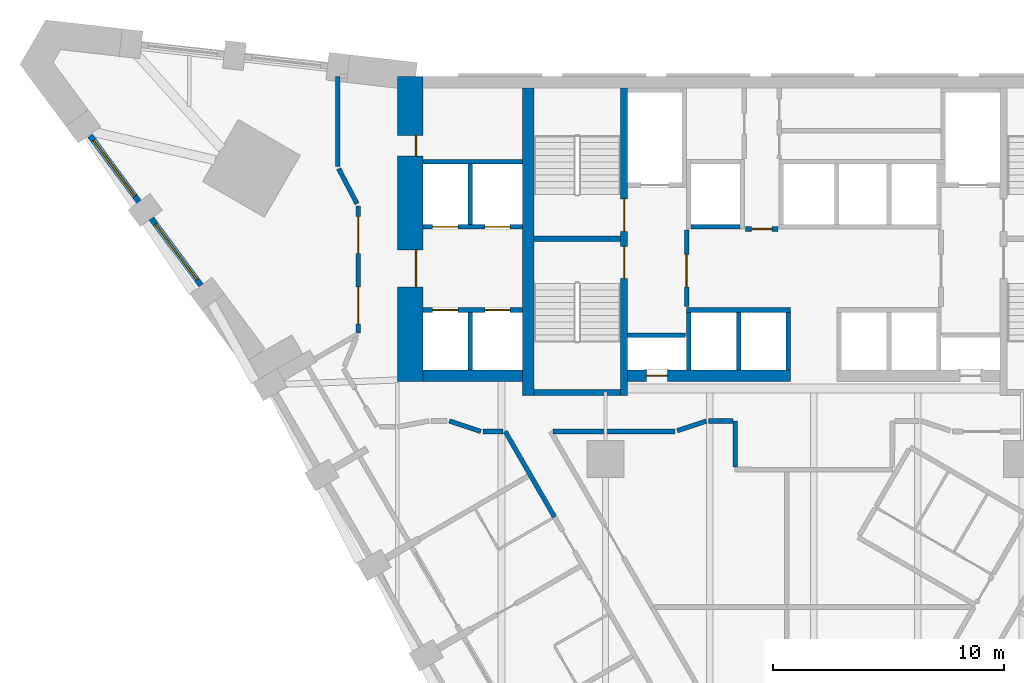
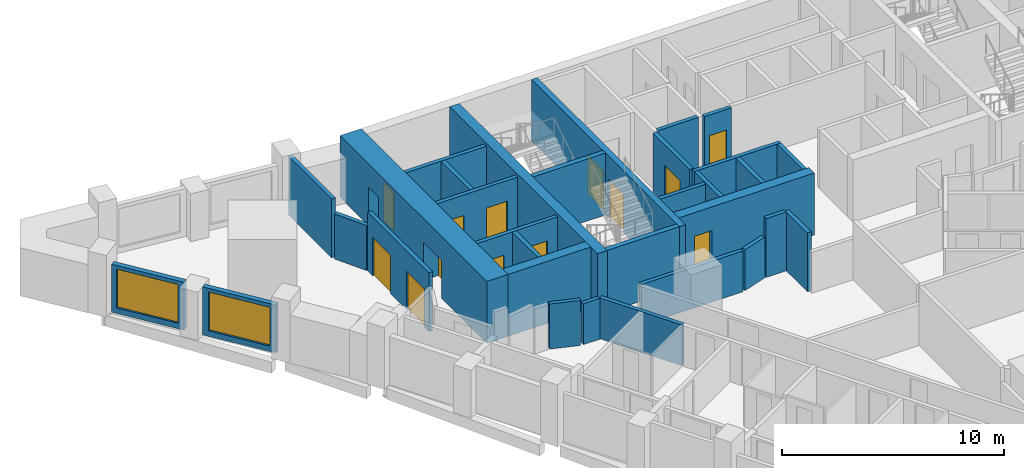
# One storey, part 7 of 12: 32 walls, 13 doors, 2 windows, 15 openings.
"""IFC4 building model written with IfcOpenShell, lengths in metres."""

import ifcopenshell
import ifcopenshell.guid

model = None  # the IFC model being written
_history = None  # IfcOwnerHistory: only IFC2X3 demands one
_inside = {}  # id of a spatial element -> (the spatial element, [elements in it])
_under = {}  # id of a project, library or spatial element -> (it, [spatial elements below it])
_declared = {}  # id of a project -> (the project, [libraries it declares])
_typed = {}  # id of a type object -> (the type object, [elements of that type])
_made_of = {}  # id of a material, layer set ... -> (it, [elements and type objects made of it])


def new_model(schema):
    """Start an empty IFC model of exactly this schema.

    Asked for "IFC4X3", IfcOpenShell would pick the latest addendum, in which some entities
    have other attributes; the version numbers below select the first issue.
    IFC2X3 requires an IfcOwnerHistory on every rooted entity: one is made here for all.
    """
    global model, _history
    if schema == "IFC4X3":
        model = ifcopenshell.file(schema_version=(4, 3, 0, 0))
    else:
        model = ifcopenshell.file(schema=schema)
    _inside.clear()
    _under.clear()
    _declared.clear()
    _typed.clear()
    _made_of.clear()
    _history = None
    if model.schema == "IFC2X3":
        org = make("IfcOrganization", Name="unknown")
        user = make(
            "IfcPersonAndOrganization",
            ThePerson=make("IfcPerson", FamilyName="unknown"),
            TheOrganization=org,
        )
        app = make(
            "IfcApplication",
            ApplicationDeveloper=org,
            Version="unknown",
            ApplicationFullName="unknown",
            ApplicationIdentifier="unknown",
        )
        _history = make(
            "IfcOwnerHistory",
            OwningUser=user,
            OwningApplication=app,
            ChangeAction="ADDED",
            CreationDate=0,
        )
    return model


def make(cls, **values):
    """One entity of the class cls with the attributes given. An attribute that is None is left unset."""
    return model.create_entity(
        cls, **{name: value for name, value in values.items() if value is not None}
    )


def rooted(cls, **values):
    """An entity with a GlobalId (a new one), such as an element, a storey or a relation."""
    return make(cls, GlobalId=ifcopenshell.guid.new(), OwnerHistory=_history, **values)


def si_unit(unit_type, name, prefix=None):
    """IfcSIUnit, for example si_unit("LENGTHUNIT", "METRE", prefix="MILLI")."""
    return make("IfcSIUnit", UnitType=unit_type, Prefix=prefix, Name=name)


def assignment(units):
    """IfcUnitAssignment: the units of a project."""
    return None if units is None else make("IfcUnitAssignment", Units=units)


def point(xyz):
    """IfcCartesianPoint."""
    return None if xyz is None else make("IfcCartesianPoint", Coordinates=xyz)


def direction(xyz):
    """IfcDirection."""
    return None if xyz is None else make("IfcDirection", DirectionRatios=xyz)


def frame(location, z_axis=None, x_axis=None):
    """IfcAxis2Placement3D, a coordinate frame: its origin and axes. An axis left out is left unset."""
    return make(
        "IfcAxis2Placement3D",
        Location=point(location),
        Axis=direction(z_axis),
        RefDirection=direction(x_axis),
    )


def frame_2d(location, x_axis=None):
    """IfcAxis2Placement2D, a coordinate frame in the plane: its origin and x axis."""
    return make(
        "IfcAxis2Placement2D", Location=point(location), RefDirection=direction(x_axis)
    )


def origin():
    """The frame at (0, 0, 0) with its axes left unset."""
    return frame((0.0, 0.0, 0.0))


def place(relative_to, where):
    """IfcLocalPlacement: puts the frame where relative to a parent placement (None: the world)."""
    return make(
        "IfcLocalPlacement", PlacementRelTo=relative_to, RelativePlacement=where
    )


def context(
    kind, dimensions, precision=None, world=None, true_north=None, identifier=None
):
    """IfcGeometricRepresentationContext, for example the 3D "Model" context."""
    return make(
        "IfcGeometricRepresentationContext",
        ContextIdentifier=identifier,
        ContextType=kind,
        CoordinateSpaceDimension=dimensions,
        Precision=precision,
        WorldCoordinateSystem=world,
        TrueNorth=true_north,
    )


def subcontext(parent, identifier, kind, view, scale=None):
    """IfcGeometricRepresentationSubContext, for example "Body" below "Model"."""
    return make(
        "IfcGeometricRepresentationSubContext",
        ContextIdentifier=identifier,
        ContextType=kind,
        ParentContext=parent,
        TargetScale=scale,
        TargetView=view,
    )


def project(units=None, contexts=None):
    """IfcProject with its units and contexts."""
    return rooted(
        "IfcProject",
        Name="project",
        RepresentationContexts=contexts,
        UnitsInContext=assignment(units),
    )


def spatial(cls, under=None, at=None, **own):
    """A site, building, storey or space (cls), placed at a placement, below another one or the project."""
    s = rooted(cls, ObjectPlacement=at, **own)
    if under is not None:
        _under.setdefault(under.id(), (under, []))[1].append(s)
    return s


def profile(cls, at=None, kind="AREA", **sizes):
    """A parametric profile (cls). Its sizes go by their IFC names, for example OverallWidth=200.0."""
    return make(cls, ProfileType=kind, Position=at, **sizes)


def rectangle(**sizes):
    """IfcRectangleProfileDef."""
    return profile("IfcRectangleProfileDef", **sizes)


def extrude(swept, where, along, depth):
    """IfcExtrudedAreaSolid: the profile swept, set in the frame where, extruded along a direction by depth."""
    return make(
        "IfcExtrudedAreaSolid",
        SweptArea=swept,
        Position=where,
        ExtrudedDirection=direction(along),
        Depth=depth,
    )


def shape(context_of_items, identifier, shape_type, items):
    """IfcShapeRepresentation: the items that make up one representation, for example the "Body"."""
    return make(
        "IfcShapeRepresentation",
        ContextOfItems=context_of_items,
        RepresentationIdentifier=identifier,
        RepresentationType=shape_type,
        Items=items,
    )


def material(Name=None, Category=None):
    """IfcMaterial."""
    return make("IfcMaterial", Name=Name, Category=Category)


def layer(
    of_material, thickness, ventilated=None, Name=None, Category=None, Priority=None
):
    """IfcMaterialLayer: one layer of a wall or slab, of a material (None: an air gap)."""
    return make(
        "IfcMaterialLayer",
        Material=of_material,
        LayerThickness=thickness,
        IsVentilated=ventilated,
        Name=Name,
        Category=Category,
        Priority=Priority,
    )


def layer_set(layers, Name=None):
    """IfcMaterialLayerSet."""
    return make("IfcMaterialLayerSet", MaterialLayers=layers, LayerSetName=Name)


def made_of(thing, what):
    """Note that an element or type object is made of a material, layer set ...; save() writes the relation."""
    if what is not None:
        _made_of.setdefault(what.id(), (what, []))[1].append(thing)
    return thing


def type_object(cls, material=None, **own):
    """A type object (cls), such as IfcWallType, which elements share."""
    return made_of(rooted(cls, **own), material)


def element(
    cls,
    number,
    at=None,
    inside=None,
    cuts=None,
    type_object=None,
    material=None,
    context=None,
    identifier="Body",
    shape_type=None,
    held_by="IfcProductDefinitionShape",
    body=None,
    shapes=None,
    **own,
):
    """One element of the class cls, such as IfcWall. Its Tag is "e" and its number.

    at: its placement. inside: the storey or other place that contains it. cuts: it is an
    opening in that element (IfcRelVoidsElement). A single representation is given by context,
    identifier, shape_type and body (its items); several are given by shapes. held_by: the class
    of the entity that holds the representations. save() writes the other relations.
    """
    e = rooted(cls, Tag="e%d" % number, ObjectPlacement=at, **own)
    if body is not None:
        shapes = [shape(context, identifier, shape_type, body)]
    if shapes is not None:
        e.Representation = make(held_by, Representations=shapes)
    if inside is not None:
        _inside.setdefault(inside.id(), (inside, []))[1].append(e)
    if cuts is not None:
        rooted(
            "IfcRelVoidsElement", RelatingBuildingElement=cuts, RelatedOpeningElement=e
        )
    if type_object is not None:
        _typed.setdefault(type_object.id(), (type_object, []))[1].append(e)
    return made_of(e, material)


def fill(opening, filler):
    """IfcRelFillsElement: the door or window that sits in an opening."""
    return rooted(
        "IfcRelFillsElement",
        RelatingOpeningElement=opening,
        RelatedBuildingElement=filler,
    )


def aggregate(whole, parts):
    """IfcRelAggregates: a whole, such as a stair, and the parts it consists of."""
    return rooted("IfcRelAggregates", RelatingObject=whole, RelatedObjects=parts)


def save(model, path):
    """Write the relations noted so far, then the file.

    IfcRelAggregates (storeys below a building ...), IfcRelContainedInSpatialStructure (elements
    in a storey), IfcRelDefinesByType, IfcRelAssociatesMaterial and IfcRelDeclares: one each for
    every whole, place, type object, material and project.
    """
    for whole, parts in _under.values():
        aggregate(whole, parts)
    for where, things in _inside.values():
        rooted(
            "IfcRelContainedInSpatialStructure",
            RelatedElements=things,
            RelatingStructure=where,
        )
    for kind, things in _typed.values():
        rooted("IfcRelDefinesByType", RelatedObjects=things, RelatingType=kind)
    for what, things in _made_of.values():
        rooted("IfcRelAssociatesMaterial", RelatedObjects=things, RelatingMaterial=what)
    for by, libraries in _declared.values():
        rooted("IfcRelDeclares", RelatingContext=by, RelatedDefinitions=libraries)
    model.write(path)


model = new_model("IFC4")

# Units and contexts
model_context = context("Model", 3, precision=1e-05, world=origin(), true_north=direction((0.0, 1.0)))
body_context = subcontext(model_context, "Body", "Model", "MODEL_VIEW")
ifc_project = project(units=[si_unit("LENGTHUNIT", "METRE"), si_unit("AREAUNIT", "SQUARE_METRE"), si_unit("VOLUMEUNIT", "CUBIC_METRE"), si_unit("PLANEANGLEUNIT", "RADIAN"), si_unit("MASSUNIT", "GRAM", prefix="KILO")], contexts=[model_context])

# Site, building, storey
site_placement = place(None, origin())
site = spatial("IfcSite", under=ifc_project, at=site_placement, CompositionType="ELEMENT")
building_placement = place(site_placement, origin())
building = spatial("IfcBuilding", under=site, at=building_placement, Name="Calabash Gate Tower", CompositionType="ELEMENT")
storey_placement = place(building_placement, frame((0.0, 0.0, 80.0)))
storey = spatial("IfcBuildingStorey", under=building, at=storey_placement, Name="L16", CompositionType="ELEMENT", Elevation=80.0)

# Wall, openings, doors
ifc_material_1 = material(Name="Concrete C80/95", Category="concrete")
ifc_layer_1 = layer(ifc_material_1, 1.10009765625)
ifc_layer_set_1 = layer_set([ifc_layer_1], Name="Core wall 1100 Concrete C80/95")
wall_type_1 = type_object("IfcWallType", Name="Core wall 1100 Concrete C80/95", PredefinedType="SHEAR", material=ifc_layer_set_1)
wall_1_placement = place(storey_placement, frame((-17.449951171875, 5.8525390625, 0.0), z_axis=(0.0, 0.0, 1.0), x_axis=(0.0, 1.0, 0.0)))
wall_1 = element("IfcWall", 1, at=wall_1_placement, inside=storey, type_object=wall_type_1, Name="Core wall Z1-ENDW L16", PredefinedType="SHEAR", context=body_context, shape_type="SweptSolid", body=[
    extrude(rectangle(XDim=13.199951171875, YDim=1.10009765625, at=frame_2d((6.60009765625, 0.0))), origin(), (0.0, 0.0, 1.0), 3.39990234375),
])
opening_1_placement = place(wall_1_placement, frame((4.10009765625, 0.0, 0.0)))
opening_1 = element("IfcOpeningElement", 2, at=opening_1_placement, cuts=wall_1, Name="Opening H4-003", PredefinedType="OPENING", context=body_context, shape_type="SweptSolid", body=[
    extrude(rectangle(XDim=1.60009765625, YDim=2.10009765625, at=frame_2d((0.800048828125, 1.050048828125))), frame((0.0, 0.56005859375, 0.0), z_axis=(0.0, -1.0, 0.0), x_axis=(1.0, 0.0, 0.0)), (0.0, 0.0, 1.0), 1.1201171875),
])
opening_2_placement = place(wall_1_placement, frame((9.75, 0.0, 0.0)))
opening_2 = element("IfcOpeningElement", 3, at=opening_2_placement, cuts=wall_1, Name="Opening H4-004", PredefinedType="OPENING", context=body_context, shape_type="SweptSolid", body=[
    extrude(rectangle(XDim=0.89990234375, YDim=2.10009765625, at=frame_2d((0.449951171875, 1.050048828125))), frame((0.0, 0.56005859375, 0.0), z_axis=(0.0, -1.0, 0.0), x_axis=(1.0, 0.0, 0.0)), (0.0, 0.0, 1.0), 1.1201171875),
])
ifc_material_2 = material(Name="Steel fire door set with fire-resisting glazing", Category="steel")
door_type_1 = type_object("IfcDoorType", Name="Double fire door D08 1600x2100 FD60", OperationType="DOUBLE_DOOR_SINGLE_SWING", PredefinedType="DOOR", material=ifc_material_2)
door_1_placement = place(opening_1_placement, origin())
door_1 = element("IfcDoor", 4, at=door_1_placement, inside=storey, type_object=door_type_1, Name="Low-rise Lift Lobby W door", OperationType="DOUBLE_DOOR_SINGLE_SWING", OverallHeight=2.10009765625, OverallWidth=1.60009765625, PredefinedType="DOOR", context=body_context, shape_type="SweptSolid", body=[
    extrude(rectangle(XDim=1.60009765625, YDim=2.10009765625, at=frame_2d((0.800048828125, 1.050048828125))), frame((0.0, -0.22509765625, 0.0), z_axis=(0.0, -1.0, 0.0), x_axis=(1.0, 0.0, 0.0)), (0.0, 0.0, 1.0), 0.050048828125),
])
fill(opening_1, door_1)
ifc_material_3 = material(Name="Steel fire door set with fire-resisting glazing", Category="steel")
door_type_2 = type_object("IfcDoorType", Name="Fire door D06 900x2100 FD60", OperationType="NOTDEFINED", PredefinedType="DOOR", material=ifc_material_3)
door_2_placement = place(opening_2_placement, origin())
door_2 = element("IfcDoor", 5, at=door_2_placement, inside=storey, type_object=door_type_2, Name="Housekeeping Store door", OperationType="SINGLE_SWING_RIGHT", OverallHeight=2.10009765625, OverallWidth=0.89990234375, PredefinedType="DOOR", context=body_context, shape_type="SweptSolid", body=[
    extrude(rectangle(XDim=0.89990234375, YDim=2.10009765625, at=frame_2d((0.449951171875, 1.050048828125))), frame((0.0, -0.22509765625, 0.0), z_axis=(0.0, -1.0, 0.0), x_axis=(1.0, 0.0, 0.0)), (0.0, 0.0, 1.0), 0.050048828125),
])
fill(opening_2, door_2)

# Walls
ifc_material_4 = material(Name="Concrete C80/95", Category="concrete")
ifc_layer_2 = layer(ifc_material_4, 0.25)
ifc_layer_set_2 = layer_set([ifc_layer_2], Name="Core wall 250 Concrete C80/95")
wall_type_2 = type_object("IfcWallType", Name="Core wall 250 Concrete C80/95", PredefinedType="SHEAR", material=ifc_layer_set_2)
for number, where, z_axis, x_axis, name in (
    (6, (-12.10009765625, 12.027587890625, 0.0), (0.0, 0.0, 1.0), (1.0, 0.0, 0.0), "Core wall Z1-MIDW L16"),
    (7, (-12.10009765625, 5.377685546875, 0.0), (0.0, 0.0, 1.0), (1.0, 0.0, 0.0), "Core wall Z1-SSW L16"),
):
    element("IfcWall", number, at=place(storey_placement, frame(where, z_axis=z_axis, x_axis=x_axis)), inside=storey, type_object=wall_type_2, Name=name, PredefinedType="SHEAR", context=body_context, shape_type="SweptSolid", body=[
        extrude(rectangle(XDim=3.75, YDim=0.25, at=frame_2d((1.875, 0.0))), origin(), (0.0, 0.0, 1.0), 3.39990234375),
    ])

# Wall, openings, doors
ifc_material_5 = material(Name="Concrete C80/95", Category="concrete")
ifc_layer_3 = layer(ifc_material_5, 0.300048828125)
ifc_layer_set_3 = layer_set([ifc_layer_3], Name="Core wall 300 Concrete C80/95")
wall_type_3 = type_object("IfcWallType", Name="Core wall 300 Concrete C80/95", PredefinedType="SHEAR", material=ifc_layer_set_3)
wall_2_placement = place(storey_placement, frame((-8.199951171875, 5.252685546875, 0.0), z_axis=(0.0, 0.0, 1.0), x_axis=(0.0, 1.0, 0.0)))
wall_2 = element("IfcWall", 8, at=wall_2_placement, inside=storey, type_object=wall_type_3, Name="Core wall Z1-PARTW L16", PredefinedType="SHEAR", context=body_context, shape_type="SweptSolid", body=[
    extrude(rectangle(XDim=13.2998046875, YDim=0.300048828125, at=frame_2d((6.64990234375, 0.0))), origin(), (0.0, 0.0, 1.0), 3.39990234375),
])
opening_3_placement = place(wall_2_placement, frame((7.10009765625, 0.0, 0.0)))
opening_3 = element("IfcOpeningElement", 9, at=opening_3_placement, cuts=wall_2, Name="Opening H4-013", PredefinedType="OPENING", context=body_context, shape_type="SweptSolid", body=[
    extrude(rectangle(XDim=1.39990234375, YDim=2.10009765625, at=frame_2d((0.699951171875, 1.050048828125))), frame((0.0, 0.159912109375, 0.0), z_axis=(0.0, -1.0, 0.0), x_axis=(1.0, 0.0, 0.0)), (0.0, 0.0, 1.0), 0.320068359375),
])
opening_4_placement = place(wall_2_placement, frame((5.050048828125, 0.0, 0.0)))
opening_4 = element("IfcOpeningElement", 10, at=opening_4_placement, cuts=wall_2, Name="Opening H4-014", PredefinedType="OPENING", context=body_context, shape_type="SweptSolid", body=[
    extrude(rectangle(XDim=1.39990234375, YDim=2.10009765625, at=frame_2d((0.699951171875, 1.050048828125))), frame((0.0, 0.159912109375, 0.0), z_axis=(0.0, -1.0, 0.0), x_axis=(1.0, 0.0, 0.0)), (0.0, 0.0, 1.0), 0.320068359375),
])
ifc_material_6 = material(Name="Steel fire door set with fire-resisting glazing", Category="steel")
door_type_3 = type_object("IfcDoorType", Name="Fire door D05 1400x2100 FD90", OperationType="NOTDEFINED", PredefinedType="DOOR", material=ifc_material_6)
door_3_placement = place(opening_3_placement, origin())
door_3 = element("IfcDoor", 11, at=door_3_placement, inside=storey, type_object=door_type_3, Name="Exit stair door ST1", OperationType="SINGLE_SWING_LEFT", OverallHeight=2.10009765625, OverallWidth=1.39990234375, PredefinedType="DOOR", context=body_context, shape_type="SweptSolid", body=[
    extrude(rectangle(XDim=1.39990234375, YDim=2.10009765625, at=frame_2d((0.699951171875, 1.050048828125))), frame((0.0, 0.02490234375, 0.0), z_axis=(0.0, -1.0, 0.0), x_axis=(1.0, 0.0, 0.0)), (0.0, 0.0, 1.0), 0.050048828125),
])
fill(opening_3, door_3)
door_4_placement = place(opening_4_placement, origin())
door_4 = element("IfcDoor", 12, at=door_4_placement, inside=storey, type_object=door_type_3, Name="Exit stair door ST2", OperationType="SINGLE_SWING_LEFT", OverallHeight=2.10009765625, OverallWidth=1.39990234375, PredefinedType="DOOR", context=body_context, shape_type="SweptSolid", body=[
    extrude(rectangle(XDim=1.39990234375, YDim=2.10009765625, at=frame_2d((0.699951171875, 1.050048828125))), frame((0.0, 0.02490234375, 0.0), z_axis=(0.0, -1.0, 0.0), x_axis=(1.0, 0.0, 0.0)), (0.0, 0.0, 1.0), 0.050048828125),
])
fill(opening_4, door_4)

# Wall
ifc_material_7 = material(Name="Concrete C80/95", Category="concrete")
ifc_layer_4 = layer(ifc_material_7, 0.5)
ifc_layer_set_4 = layer_set([ifc_layer_4], Name="Core wall 500 Concrete C80/95")
wall_type_4 = type_object("IfcWallType", Name="Core wall 500 Concrete C80/95", PredefinedType="SHEAR", material=ifc_layer_set_4)
wall_3_placement = place(storey_placement, frame((-12.35009765625, 5.252685546875, 0.0), z_axis=(0.0, 0.0, 1.0), x_axis=(0.0, 1.0, 0.0)))
element("IfcWall", 13, at=wall_3_placement, inside=storey, type_object=wall_type_4, Name="Core wall Z1-COLW L16", PredefinedType="SHEAR", context=body_context, shape_type="SweptSolid", body=[
    extrude(rectangle(XDim=13.2998046875, YDim=0.5, at=frame_2d((6.64990234375, 0.0))), origin(), (0.0, 0.0, 1.0), 3.39990234375),
])

# Wall, opening, door
wall_4_placement = place(storey_placement, frame((-8.050048828125, 6.1025390625, 0.0), z_axis=(0.0, 0.0, 1.0), x_axis=(1.0, 0.0, 0.0)))
wall_4 = element("IfcWall", 14, at=wall_4_placement, inside=storey, type_object=wall_type_4, Name="Core wall Z1-SA L16", PredefinedType="SHEAR", context=body_context, shape_type="SweptSolid", body=[
    extrude(rectangle(XDim=7.050048828125, YDim=0.5, at=frame_2d((3.52490234375, 0.0))), origin(), (0.0, 0.0, 1.0), 3.39990234375),
])
opening_5_placement = place(wall_4_placement, frame((0.824951171875, 0.0, 0.0)))
opening_5 = element("IfcOpeningElement", 15, at=opening_5_placement, cuts=wall_4, Name="Opening H4-012", PredefinedType="OPENING", context=body_context, shape_type="SweptSolid", body=[
    extrude(rectangle(XDim=0.89990234375, YDim=2.10009765625, at=frame_2d((0.449951171875, 1.050048828125))), frame((0.0, 0.260009765625, 0.0), z_axis=(0.0, -1.0, 0.0), x_axis=(1.0, 0.0, 0.0)), (0.0, 0.0, 1.0), 0.52001953125),
])
ifc_material_8 = material(Name="Steel fire door set with fire-resisting glazing", Category="steel")
door_type_4 = type_object("IfcDoorType", Name="Fire door D07 900x2100 FD90", OperationType="NOTDEFINED", PredefinedType="DOOR", material=ifc_material_8)
door_5_placement = place(opening_5_placement, origin())
door_5 = element("IfcDoor", 16, at=door_5_placement, inside=storey, type_object=door_type_4, Name="Electrical Riser W door", OperationType="SINGLE_SWING_LEFT", OverallHeight=2.10009765625, OverallWidth=0.89990234375, PredefinedType="DOOR", context=body_context, shape_type="SweptSolid", body=[
    extrude(rectangle(XDim=0.89990234375, YDim=2.10009765625, at=frame_2d((0.449951171875, 1.050048828125))), frame((0.0, 0.02490234375, 0.0), z_axis=(0.0, -1.0, 0.0), x_axis=(1.0, 0.0, 0.0)), (0.0, 0.0, 1.0), 0.050048828125),
])
fill(opening_5, door_5)

# Walls
wall_5_placement = place(storey_placement, frame((-12.60009765625, 6.1025390625, 0.0), z_axis=(0.0, 0.0, 1.0), x_axis=(-1.0, 0.0, 0.0)))
element("IfcWall", 17, at=wall_5_placement, inside=storey, type_object=wall_type_4, Name="Core wall Z1-SW L16", PredefinedType="SHEAR", context=body_context, shape_type="SweptSolid", body=[
    extrude(rectangle(XDim=4.2998046875, YDim=0.5, at=frame_2d((2.14990234375, 0.0))), origin(), (0.0, 0.0, 1.0), 3.39990234375),
])
ifc_material_9 = material(Name="Gypsum board on steel studs, mineral wool", Category="steel")
ifc_layer_5 = layer(ifc_material_9, 0.199951171875)
ifc_layer_set_5 = layer_set([ifc_layer_5], Name="Partition 200 gypsum board EI 60")
wall_type_5 = type_object("IfcWallType", Name="Partition 200 gypsum board EI 60", PredefinedType="PARTITIONING", material=ifc_layer_set_5)
wall_6_placement = place(storey_placement, frame((-13.33984375, 3.699462890625, 0.0), z_axis=(0.0, 0.0, 1.0), x_axis=(0.499410635897, -0.866365406023, 0.0)))
element("IfcWall", 18, at=wall_6_placement, inside=storey, type_object=wall_type_5, Name="Partition", PredefinedType="PARTITIONING", context=body_context, shape_type="SweptSolid", body=[
    extrude(rectangle(XDim=4.270751953125, YDim=0.199951171875, at=frame_2d((2.13525390625, 0.0))), origin(), (0.0, 0.0, 1.0), 2.24169921875),
])
wall_7_placement = place(storey_placement, frame((-3.402099609375, 4.150634765625, 0.0), z_axis=(0.0, 0.0, 1.0), x_axis=(0.000977397212, -0.999999522347, 0.0)))
element("IfcWall", 19, at=wall_7_placement, inside=storey, type_object=wall_type_5, Name="Partition", PredefinedType="PARTITIONING", context=body_context, shape_type="SweptSolid", body=[
    extrude(rectangle(XDim=1.998291015625, YDim=0.199951171875, at=frame_2d((0.9990234375, 0.0))), origin(), (0.0, 0.0, 1.0), 3.22998046875),
])
wall_8_placement = place(storey_placement, frame((-15.7578125, 4.152099609375, 0.0), z_axis=(0.0, 0.0, 1.0), x_axis=(0.948666237396, -0.316278943379, 0.0)))
element("IfcWall", 20, at=wall_8_placement, inside=storey, type_object=wall_type_5, Name="Partition", PredefinedType="PARTITIONING", context=body_context, shape_type="SweptSolid", body=[
    extrude(rectangle(XDim=1.43115234375, YDim=0.199951171875, at=frame_2d((0.715576171875, 0.0))), origin(), (0.0, 0.0, 1.0), 2.4736328125),
])
wall_9_placement = place(storey_placement, frame((-14.300048828125, 3.699462890625, 0.0), z_axis=(0.0, 0.0, 1.0), x_axis=(1.0, 0.0, 0.0)))
element("IfcWall", 21, at=wall_9_placement, inside=storey, type_object=wall_type_5, Name="Partition", PredefinedType="PARTITIONING", context=body_context, shape_type="SweptSolid", body=[
    extrude(rectangle(XDim=0.860107421875, YDim=0.199951171875, at=frame_2d((0.43017578125, 0.0))), origin(), (0.0, 0.0, 1.0), 2.24169921875),
])
wall_10_placement = place(storey_placement, frame((-11.2763671875, 3.69970703125, 0.0), z_axis=(0.0, 0.0, 1.0), x_axis=(1.0, 0.0, 0.0)))
element("IfcWall", 22, at=wall_10_placement, inside=storey, type_object=wall_type_5, Name="Partition", PredefinedType="PARTITIONING", context=body_context, shape_type="SweptSolid", body=[
    extrude(rectangle(XDim=5.2763671875, YDim=0.199951171875, at=frame_2d((2.63818359375, 0.0))), origin(), (0.0, 0.0, 1.0), 2.24169921875),
])
wall_11_placement = place(storey_placement, frame((-5.905029296875, 3.7314453125, 0.0), z_axis=(0.0, 0.0, 1.0), x_axis=(0.948683298051, 0.316227766017, 0.0)))
element("IfcWall", 23, at=wall_11_placement, inside=storey, type_object=wall_type_5, Name="Partition", PredefinedType="PARTITIONING", context=body_context, shape_type="SweptSolid", body=[
    extrude(rectangle(XDim=1.3310546875, YDim=0.199951171875, at=frame_2d((0.66552734375, 0.0))), origin(), (0.0, 0.0, 1.0), 2.24169921875),
])
wall_12_placement = place(storey_placement, frame((-4.542236328125, 4.152099609375, 0.0), z_axis=(0.0, 0.0, 1.0), x_axis=(0.9999990086, -0.001408118764, 0.0)))
element("IfcWall", 24, at=wall_12_placement, inside=storey, type_object=wall_type_5, Name="Partition", PredefinedType="PARTITIONING", context=body_context, shape_type="SweptSolid", body=[
    extrude(rectangle(XDim=1.040283203125, YDim=0.199951171875, at=frame_2d((0.52001953125, 0.0))), origin(), (0.0, 0.0, 1.0), 3.22998046875),
])

# Wall, openings, doors
wall_13_placement = place(storey_placement, frame((-19.700439453125, 7.95263671875, 0.0), z_axis=(0.0, 0.0, 1.0), x_axis=(0.0, 1.0, 0.0)))
wall_13 = element("IfcWall", 25, at=wall_13_placement, inside=storey, type_object=wall_type_5, Name="Partition", PredefinedType="PARTITIONING", context=body_context, shape_type="SweptSolid", body=[
    extrude(rectangle(XDim=5.499755859375, YDim=0.199951171875, at=frame_2d((2.75, 0.0))), origin(), (0.0, 0.0, 1.0), 3.22998046875),
])
opening_6_placement = place(wall_13_placement, frame((0.39990234375, 0.0, 0.0)))
opening_6 = element("IfcOpeningElement", 26, at=opening_6_placement, cuts=wall_13, Name="Opening 15-17-037", PredefinedType="OPENING", context=body_context, shape_type="SweptSolid", body=[
    extrude(rectangle(XDim=1.60009765625, YDim=2.10009765625, at=frame_2d((0.800048828125, 1.050048828125))), frame((0.0, 0.10986328125, 0.0), z_axis=(0.0, -1.0, 0.0), x_axis=(1.0, 0.0, 0.0)), (0.0, 0.0, 1.0), 0.219970703125),
])
opening_7_placement = place(wall_13_placement, frame((3.44970703125, 0.0, 0.0)))
opening_7 = element("IfcOpeningElement", 27, at=opening_7_placement, cuts=wall_13, Name="Opening 15-17-038", PredefinedType="OPENING", context=body_context, shape_type="SweptSolid", body=[
    extrude(rectangle(XDim=1.60009765625, YDim=2.10009765625, at=frame_2d((0.800048828125, 1.050048828125))), frame((0.0, 0.10986328125, 0.0), z_axis=(0.0, -1.0, 0.0), x_axis=(1.0, 0.0, 0.0)), (0.0, 0.0, 1.0), 0.219970703125),
])
ifc_material_10 = material(Name="Steel fire door set with fire-resisting glazing", Category="steel")
door_type_5 = type_object("IfcDoorType", Name="LD1 Lounge double door 1600x2100", OperationType="NOTDEFINED", PredefinedType="DOOR", material=ifc_material_10)
door_6_placement = place(opening_6_placement, origin())
door_6 = element("IfcDoor", 28, at=door_6_placement, inside=storey, type_object=door_type_5, Name="Lounge double door", OperationType="DOUBLE_DOOR_SINGLE_SWING", OverallHeight=2.10009765625, OverallWidth=1.60009765625, PredefinedType="DOOR", context=body_context, shape_type="SweptSolid", body=[
    extrude(rectangle(XDim=1.60009765625, YDim=2.10009765625, at=frame_2d((0.800048828125, 1.050048828125))), frame((0.0, 0.02490234375, 0.0), z_axis=(0.0, -1.0, 0.0), x_axis=(1.0, 0.0, 0.0)), (0.0, 0.0, 1.0), 0.050048828125),
])
fill(opening_6, door_6)
door_7_placement = place(opening_7_placement, origin())
door_7 = element("IfcDoor", 29, at=door_7_placement, inside=storey, type_object=door_type_5, Name="Lounge double door", OperationType="DOUBLE_DOOR_SINGLE_SWING", OverallHeight=2.10009765625, OverallWidth=1.60009765625, PredefinedType="DOOR", context=body_context, shape_type="SweptSolid", body=[
    extrude(rectangle(XDim=1.60009765625, YDim=2.10009765625, at=frame_2d((0.800048828125, 1.050048828125))), frame((0.0, 0.02490234375, 0.0), z_axis=(0.0, -1.0, 0.0), x_axis=(1.0, 0.0, 0.0)), (0.0, 0.0, 1.0), 0.050048828125),
])
fill(opening_7, door_7)

# Walls
wall_14_placement = place(storey_placement, frame((-20.542724609375, 15.063720703125, 0.0), z_axis=(0.0, 0.0, 1.0), x_axis=(0.463226309124, -0.886240027609, 0.0)))
element("IfcWall", 30, at=wall_14_placement, inside=storey, type_object=wall_type_5, Name="Partition", PredefinedType="PARTITIONING", context=body_context, shape_type="SweptSolid", body=[
    extrude(rectangle(XDim=1.71826171875, YDim=0.199951171875, at=frame_2d((0.859130859375, 0.0))), origin(), (0.0, 0.0, 1.0), 2.4736328125),
])
wall_15_placement = place(storey_placement, frame((-20.589111328125, 19.052490234375, 0.0), z_axis=(0.0, 0.0, 1.0), x_axis=(0.0, -1.0, 0.0)))
element("IfcWall", 31, at=wall_15_placement, inside=storey, type_object=wall_type_5, Name="Partition", PredefinedType="PARTITIONING", context=body_context, shape_type="SweptSolid", body=[
    extrude(rectangle(XDim=3.89990234375, YDim=0.199951171875, at=frame_2d((1.949951171875, 0.0))), origin(), (0.0, 0.0, 1.0), 3.22998046875),
])

# Wall, opening, window
ifc_material_11 = material(Name="Aluminium framed window wall with insulated spandrel", Category="aluminium")
ifc_layer_6 = layer(ifc_material_11, 0.25)
ifc_layer_set_6 = layer_set([ifc_layer_6], Name="Prow window wall 250")
wall_type_6 = type_object("IfcWallType", Name="Prow window wall 250", PredefinedType="ELEMENTEDWALL", material=ifc_layer_set_6)
wall_16_placement = place(storey_placement, frame((-31.28759765625, 16.481201171875, 0.0), z_axis=(0.0, 0.0, 1.0), x_axis=(0.595304805086, -0.803499962067, 0.0)))
wall_16 = element("IfcWall", 32, at=wall_16_placement, inside=storey, type_object=wall_type_6, Name="Prow window wall S04 wedge7.1", PredefinedType="ELEMENTEDWALL", context=body_context, shape_type="SweptSolid", body=[
    extrude(rectangle(XDim=3.552001953125, YDim=0.25, at=frame_2d((1.77587890625, 0.0))), origin(), (0.0, 0.0, 1.0), 2.6298828125),
])
opening_8_placement = place(wall_16_placement, frame((0.25, 0.0, 0.300048828125)))
opening_8 = element("IfcOpeningElement", 33, at=opening_8_placement, cuts=wall_16, Name="Opening WP1L-2130", PredefinedType="OPENING", context=body_context, shape_type="SweptSolid", body=[
    extrude(rectangle(XDim=3.0, YDim=2.1298828125, at=frame_2d((1.5, 1.06494140625))), frame((0.0, 0.135009765625, 0.0), z_axis=(0.0, -1.0, 0.0), x_axis=(1.0, 0.0, 0.0)), (0.0, 0.0, 1.0), 0.27001953125),
])
ifc_material_12 = material(Name="Anodised aluminium frame, bronze finish, impact-rated laminated clear glazing", Category="aluminium")
window_type = type_object("IfcWindowType", Name="Window WP1L 3000x2130", PartitioningType="DOUBLE_PANEL_VERTICAL", PredefinedType="WINDOW", material=ifc_material_12)
window_1_placement = place(opening_8_placement, origin())
window_1 = element("IfcWindow", 34, at=window_1_placement, inside=storey, type_object=window_type, Name="Prow window WP1L S04 wedge7.1", OverallHeight=2.1298828125, OverallWidth=3.0, PartitioningType="SINGLE_PANEL", PredefinedType="WINDOW", context=body_context, shape_type="SweptSolid", body=[
    extrude(rectangle(XDim=3.0, YDim=2.1298828125, at=frame_2d((1.5, 1.06494140625))), frame((0.0, 0.030029296875, 0.0), z_axis=(0.0, -1.0, 0.0), x_axis=(1.0, 0.0, 0.0)), (0.0, 0.0, 1.0), 0.06005859375),
])
fill(opening_8, window_1)

wall_17_placement = place(storey_placement, frame((-28.638427734375, 12.905517578125, 0.0), z_axis=(0.0, 0.0, 1.0), x_axis=(0.595302153335, -0.803501926715, 0.0)))
wall_17 = element("IfcWall", 35, at=wall_17_placement, inside=storey, type_object=wall_type_6, Name="Prow window wall S04 wedge7.2", PredefinedType="ELEMENTEDWALL", context=body_context, shape_type="SweptSolid", body=[
    extrude(rectangle(XDim=3.599853515625, YDim=0.25, at=frame_2d((1.7998046875, 0.0))), origin(), (0.0, 0.0, 1.0), 2.6298828125),
])
opening_9_placement = place(wall_17_placement, frame((0.300048828125, 0.0, 0.300048828125)))
opening_9 = element("IfcOpeningElement", 36, at=opening_9_placement, cuts=wall_17, Name="Opening WP1L-2130", PredefinedType="OPENING", context=body_context, shape_type="SweptSolid", body=[
    extrude(rectangle(XDim=3.0, YDim=2.1298828125, at=frame_2d((1.5, 1.06494140625))), frame((0.0, 0.135009765625, 0.0), z_axis=(0.0, -1.0, 0.0), x_axis=(1.0, 0.0, 0.0)), (0.0, 0.0, 1.0), 0.27001953125),
])
window_2_placement = place(opening_9_placement, origin())
window_2 = element("IfcWindow", 37, at=window_2_placement, inside=storey, type_object=window_type, Name="Prow window WP1L S04 wedge7.2", OverallHeight=2.1298828125, OverallWidth=3.0, PartitioningType="SINGLE_PANEL", PredefinedType="WINDOW", context=body_context, shape_type="SweptSolid", body=[
    extrude(rectangle(XDim=3.0, YDim=2.1298828125, at=frame_2d((1.5, 1.06494140625))), frame((0.0, 0.030029296875, 0.0), z_axis=(0.0, -1.0, 0.0), x_axis=(1.0, 0.0, 0.0)), (0.0, 0.0, 1.0), 0.06005859375),
])
fill(opening_9, window_2)

# Walls
ifc_material_13 = material(Name="Concrete C40/50", Category="concrete")
ifc_layer_7 = layer(ifc_material_13, 0.199951171875)
ifc_layer_set_7 = layer_set([ifc_layer_7], Name="Shaft wall 200 Concrete C40/50")
wall_type_7 = type_object("IfcWallType", Name="Shaft wall 200 Concrete C40/50", PredefinedType="SOLIDWALL", material=ifc_layer_set_7)
for number, where, z_axis, x_axis, name in (
    (38, (-14.85009765625, 6.3525390625, 0.0), (0.0, 0.0, 1.0), (0.0, 1.0, 0.0), "Shaft wall"),
    (39, (-5.39990234375, 6.3525390625, 0.0), (0.0, 0.0, 1.0), (0.0, 1.0, 0.0), "Shaft wall"),
    (40, (-3.25, 6.3525390625, 0.0), (0.0, 0.0, 1.0), (0.0, 1.0, 0.0), "Shaft wall"),
    (41, (-1.10009765625, 6.3525390625, 0.0), (0.0, 0.0, 1.0), (0.0, 1.0, 0.0), "Shaft wall"),
    (42, (-8.050048828125, 7.8525390625, 0.0), (0.0, 0.0, 1.0), (1.0, 0.0, 0.0), "Shaft wall"),
):
    element("IfcWall", number, at=place(storey_placement, frame(where, z_axis=z_axis, x_axis=x_axis)), inside=storey, type_object=wall_type_7, Name=name, PredefinedType="SOLIDWALL", context=body_context, shape_type="SweptSolid", body=[
        extrude(rectangle(XDim=2.5, YDim=0.199951171875, at=frame_2d((1.25, 0.0))), origin(), (0.0, 0.0, 1.0), 3.22998046875),
    ])

# Wall, openings, doors
wall_18_placement = place(storey_placement, frame((-16.89990234375, 8.95263671875, 0.0), z_axis=(0.0, 0.0, 1.0), x_axis=(1.0, 0.0, 0.0)))
wall_18 = element("IfcWall", 43, at=wall_18_placement, inside=storey, type_object=wall_type_7, Name="Shaft wall", PredefinedType="SOLIDWALL", context=body_context, shape_type="SweptSolid", body=[
    extrude(rectangle(XDim=4.2998046875, YDim=0.199951171875, at=frame_2d((2.14990234375, 0.0))), origin(), (0.0, 0.0, 1.0), 3.22998046875),
])
opening_10_placement = place(wall_18_placement, frame((2.675048828125, 0.0, 0.0)))
opening_10 = element("IfcOpeningElement", 44, at=opening_10_placement, cuts=wall_18, Name="Opening LD-LR1", PredefinedType="OPENING", context=body_context, shape_type="SweptSolid", body=[
    extrude(rectangle(XDim=1.10009765625, YDim=2.10009765625, at=frame_2d((0.550048828125, 1.050048828125))), frame((0.0, 0.10986328125, 0.0), z_axis=(0.0, -1.0, 0.0), x_axis=(1.0, 0.0, 0.0)), (0.0, 0.0, 1.0), 0.219970703125),
])
opening_11_placement = place(wall_18_placement, frame((0.425048828125, 0.0, 0.0)))
opening_11 = element("IfcOpeningElement", 45, at=opening_11_placement, cuts=wall_18, Name="Opening LD-LR2", PredefinedType="OPENING", context=body_context, shape_type="SweptSolid", body=[
    extrude(rectangle(XDim=1.10009765625, YDim=2.10009765625, at=frame_2d((0.550048828125, 1.050048828125))), frame((0.0, 0.10986328125, 0.0), z_axis=(0.0, -1.0, 0.0), x_axis=(1.0, 0.0, 0.0)), (0.0, 0.0, 1.0), 0.219970703125),
])
ifc_material_14 = material(Name="Stainless steel sliding door leaves", Category="steel")
door_type_6 = type_object("IfcDoorType", Name="Lift landing door LS1 1100x2100 FD90", OperationType="DOUBLE_DOOR_SLIDING", PredefinedType="DOOR", material=ifc_material_14)
door_8_placement = place(opening_10_placement, origin())
door_8 = element("IfcDoor", 46, at=door_8_placement, inside=storey, type_object=door_type_6, Name="Lift landing door LR1", OperationType="DOUBLE_DOOR_SLIDING", OverallHeight=2.10009765625, OverallWidth=1.10009765625, PredefinedType="DOOR", context=body_context, shape_type="SweptSolid", body=[
    extrude(rectangle(XDim=1.10009765625, YDim=2.10009765625, at=frame_2d((0.550048828125, 1.050048828125))), frame((0.0, 0.02490234375, 0.0), z_axis=(0.0, -1.0, 0.0), x_axis=(1.0, 0.0, 0.0)), (0.0, 0.0, 1.0), 0.050048828125),
])
fill(opening_10, door_8)
door_9_placement = place(opening_11_placement, origin())
door_9 = element("IfcDoor", 47, at=door_9_placement, inside=storey, type_object=door_type_6, Name="Lift landing door LR2", OperationType="DOUBLE_DOOR_SLIDING", OverallHeight=2.10009765625, OverallWidth=1.10009765625, PredefinedType="DOOR", context=body_context, shape_type="SweptSolid", body=[
    extrude(rectangle(XDim=1.10009765625, YDim=2.10009765625, at=frame_2d((0.550048828125, 1.050048828125))), frame((0.0, 0.02490234375, 0.0), z_axis=(0.0, -1.0, 0.0), x_axis=(1.0, 0.0, 0.0)), (0.0, 0.0, 1.0), 0.050048828125),
])
fill(opening_11, door_9)

# Wall
wall_19_placement = place(storey_placement, frame((-5.5, 8.95263671875, 0.0), z_axis=(0.0, 0.0, 1.0), x_axis=(1.0, 0.0, 0.0)))
element("IfcWall", 48, at=wall_19_placement, inside=storey, type_object=wall_type_7, Name="Shaft wall", PredefinedType="SOLIDWALL", context=body_context, shape_type="SweptSolid", body=[
    extrude(rectangle(XDim=4.5, YDim=0.199951171875, at=frame_2d((2.25, 0.0))), origin(), (0.0, 0.0, 1.0), 3.22998046875),
])

# Wall, opening, door
wall_20_placement = place(storey_placement, frame((-5.5, 9.1025390625, 0.0), z_axis=(0.0, 0.0, 1.0), x_axis=(0.0, 1.0, 0.0)))
wall_20 = element("IfcWall", 49, at=wall_20_placement, inside=storey, type_object=wall_type_7, Name="Shaft wall", PredefinedType="SOLIDWALL", context=body_context, shape_type="SweptSolid", body=[
    extrude(rectangle(XDim=3.300048828125, YDim=0.199951171875, at=frame_2d((1.64990234375, 0.0))), origin(), (0.0, 0.0, 1.0), 3.22998046875),
])
opening_12_placement = place(wall_20_placement, frame((0.85009765625, 0.0, 0.0)))
opening_12 = element("IfcOpeningElement", 50, at=opening_12_placement, cuts=wall_20, Name="Opening H4-007", PredefinedType="OPENING", context=body_context, shape_type="SweptSolid", body=[
    extrude(rectangle(XDim=1.39990234375, YDim=2.10009765625, at=frame_2d((0.699951171875, 1.050048828125))), frame((0.0, 0.10986328125, 0.0), z_axis=(0.0, -1.0, 0.0), x_axis=(1.0, 0.0, 0.0)), (0.0, 0.0, 1.0), 0.219970703125),
])
door_10_placement = place(opening_12_placement, origin())
door_10 = element("IfcDoor", 51, at=door_10_placement, inside=storey, type_object=door_type_3, Name="Firefighting Lobby W door", OperationType="SINGLE_SWING_RIGHT", OverallHeight=2.10009765625, OverallWidth=1.39990234375, PredefinedType="DOOR", context=body_context, shape_type="SweptSolid", body=[
    extrude(rectangle(XDim=1.39990234375, YDim=2.10009765625, at=frame_2d((0.699951171875, 1.050048828125))), frame((0.0, 0.02490234375, 0.0), z_axis=(0.0, -1.0, 0.0), x_axis=(1.0, 0.0, 0.0)), (0.0, 0.0, 1.0), 0.050048828125),
])
fill(opening_12, door_10)

wall_21_placement = place(storey_placement, frame((-2.949951171875, 12.45263671875, 0.0), z_axis=(0.0, 0.0, 1.0), x_axis=(1.0, 0.0, 0.0)))
wall_21 = element("IfcWall", 52, at=wall_21_placement, inside=storey, type_object=wall_type_7, Name="Shaft wall", PredefinedType="SOLIDWALL", context=body_context, shape_type="SweptSolid", body=[
    extrude(rectangle(XDim=1.39990234375, YDim=0.199951171875, at=frame_2d((0.699951171875, 0.0))), origin(), (0.0, 0.0, 1.0), 3.22998046875),
])
opening_13_placement = place(wall_21_placement, frame((0.25, 0.0, 0.0)))
opening_13 = element("IfcOpeningElement", 53, at=opening_13_placement, cuts=wall_21, Name="Opening H4-005", PredefinedType="OPENING", context=body_context, shape_type="SweptSolid", body=[
    extrude(rectangle(XDim=0.89990234375, YDim=2.10009765625, at=frame_2d((0.449951171875, 1.050048828125))), frame((0.0, 0.10986328125, 0.0), z_axis=(0.0, -1.0, 0.0), x_axis=(1.0, 0.0, 0.0)), (0.0, 0.0, 1.0), 0.219970703125),
])
door_11_placement = place(opening_13_placement, origin())
door_11 = element("IfcDoor", 54, at=door_11_placement, inside=storey, type_object=door_type_2, Name="Service Corridor door", OperationType="SINGLE_SWING_RIGHT", OverallHeight=2.10009765625, OverallWidth=0.89990234375, PredefinedType="DOOR", context=body_context, shape_type="SweptSolid", body=[
    extrude(rectangle(XDim=0.89990234375, YDim=2.10009765625, at=frame_2d((0.449951171875, 1.050048828125))), frame((0.0, 0.02490234375, 0.0), z_axis=(0.0, -1.0, 0.0), x_axis=(1.0, 0.0, 0.0)), (0.0, 0.0, 1.0), 0.050048828125),
])
fill(opening_13, door_11)

# Wall, openings, doors
wall_22_placement = place(storey_placement, frame((-16.89990234375, 12.552490234375, 0.0), z_axis=(0.0, 0.0, 1.0), x_axis=(1.0, 0.0, 0.0)))
wall_22 = element("IfcWall", 55, at=wall_22_placement, inside=storey, type_object=wall_type_7, Name="Shaft wall", PredefinedType="SOLIDWALL", context=body_context, shape_type="SweptSolid", body=[
    extrude(rectangle(XDim=4.2998046875, YDim=0.199951171875, at=frame_2d((2.14990234375, 0.0))), origin(), (0.0, 0.0, 1.0), 3.22998046875),
])
opening_14_placement = place(wall_22_placement, frame((2.675048828125, 0.0, 0.0)))
opening_14 = element("IfcOpeningElement", 56, at=opening_14_placement, cuts=wall_22, Name="Opening LD-LR3", PredefinedType="OPENING", context=body_context, shape_type="SweptSolid", body=[
    extrude(rectangle(XDim=1.10009765625, YDim=2.10009765625, at=frame_2d((0.550048828125, 1.050048828125))), frame((0.0, 0.10986328125, 0.0), z_axis=(0.0, -1.0, 0.0), x_axis=(1.0, 0.0, 0.0)), (0.0, 0.0, 1.0), 0.219970703125),
])
opening_15_placement = place(wall_22_placement, frame((0.425048828125, 0.0, 0.0)))
opening_15 = element("IfcOpeningElement", 57, at=opening_15_placement, cuts=wall_22, Name="Opening LD-LR4", PredefinedType="OPENING", context=body_context, shape_type="SweptSolid", body=[
    extrude(rectangle(XDim=1.10009765625, YDim=2.10009765625, at=frame_2d((0.550048828125, 1.050048828125))), frame((0.0, 0.10986328125, 0.0), z_axis=(0.0, -1.0, 0.0), x_axis=(1.0, 0.0, 0.0)), (0.0, 0.0, 1.0), 0.219970703125),
])
door_12_placement = place(opening_14_placement, origin())
door_12 = element("IfcDoor", 58, at=door_12_placement, inside=storey, type_object=door_type_6, Name="Lift landing door LR3", OperationType="DOUBLE_DOOR_SLIDING", OverallHeight=2.10009765625, OverallWidth=1.10009765625, PredefinedType="DOOR", context=body_context, shape_type="SweptSolid", body=[
    extrude(rectangle(XDim=1.10009765625, YDim=2.10009765625, at=frame_2d((0.550048828125, 1.050048828125))), frame((0.0, 0.02490234375, 0.0), z_axis=(0.0, -1.0, 0.0), x_axis=(1.0, 0.0, 0.0)), (0.0, 0.0, 1.0), 0.050048828125),
])
fill(opening_14, door_12)
door_13_placement = place(opening_15_placement, origin())
door_13 = element("IfcDoor", 59, at=door_13_placement, inside=storey, type_object=door_type_6, Name="Lift landing door LR4", OperationType="DOUBLE_DOOR_SLIDING", OverallHeight=2.10009765625, OverallWidth=1.10009765625, PredefinedType="DOOR", context=body_context, shape_type="SweptSolid", body=[
    extrude(rectangle(XDim=1.10009765625, YDim=2.10009765625, at=frame_2d((0.550048828125, 1.050048828125))), frame((0.0, 0.02490234375, 0.0), z_axis=(0.0, -1.0, 0.0), x_axis=(1.0, 0.0, 0.0)), (0.0, 0.0, 1.0), 0.050048828125),
])
fill(opening_15, door_13)

# Walls
wall_23_placement = place(storey_placement, frame((-5.300048828125, 12.552490234375, 0.0), z_axis=(0.0, 0.0, 1.0), x_axis=(1.0, 0.0, 0.0)))
element("IfcWall", 60, at=wall_23_placement, inside=storey, type_object=wall_type_7, Name="Shaft wall", PredefinedType="SOLIDWALL", context=body_context, shape_type="SweptSolid", body=[
    extrude(rectangle(XDim=2.10009765625, YDim=0.199951171875, at=frame_2d((1.050048828125, 0.0))), origin(), (0.0, 0.0, 1.0), 3.22998046875),
])
wall_24_placement = place(storey_placement, frame((-14.85009765625, 12.652587890625, 0.0), z_axis=(0.0, 0.0, 1.0), x_axis=(0.0, 1.0, 0.0)))
element("IfcWall", 61, at=wall_24_placement, inside=storey, type_object=wall_type_7, Name="Shaft wall", PredefinedType="SOLIDWALL", context=body_context, shape_type="SweptSolid", body=[
    extrude(rectangle(XDim=2.60009765625, YDim=0.199951171875, at=frame_2d((1.300048828125, 0.0))), origin(), (0.0, 0.0, 1.0), 3.22998046875),
])
wall_25_placement = place(storey_placement, frame((-16.89990234375, 15.3525390625, 0.0), z_axis=(0.0, 0.0, 1.0), x_axis=(1.0, 0.0, 0.0)))
element("IfcWall", 62, at=wall_25_placement, inside=storey, type_object=wall_type_7, Name="Shaft wall", PredefinedType="SOLIDWALL", context=body_context, shape_type="SweptSolid", body=[
    extrude(rectangle(XDim=4.2998046875, YDim=0.199951171875, at=frame_2d((2.14990234375, 0.0))), origin(), (0.0, 0.0, 1.0), 3.22998046875),
])

save(model, "model.ifc")
